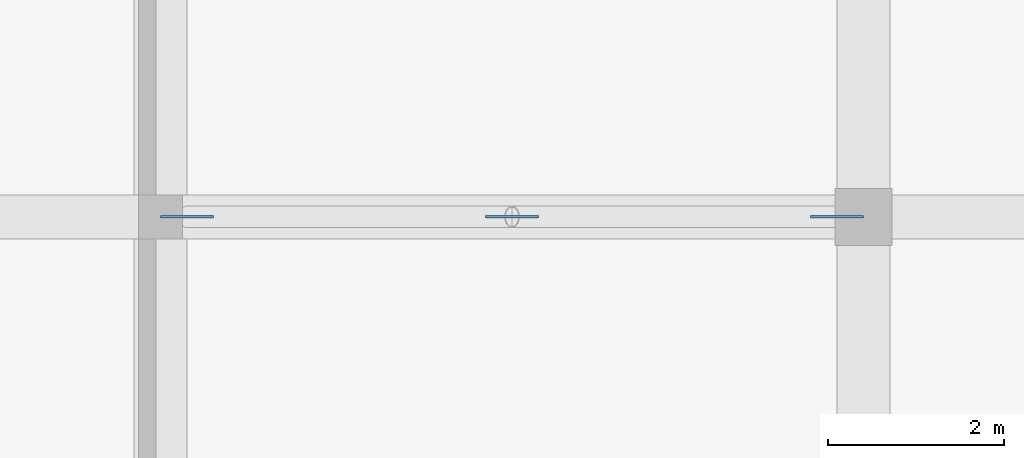
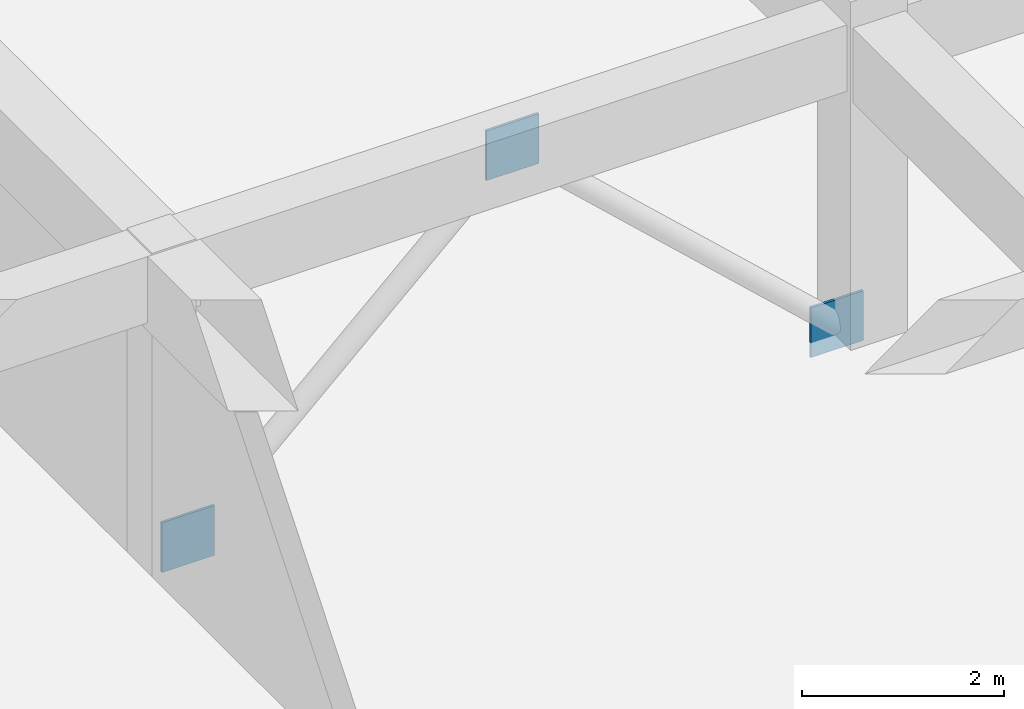
# One storey, part 18 of 35: 3 plates.
"""IFC4 building model written with IfcOpenShell, lengths in metres."""

import ifcopenshell
import ifcopenshell.guid

model = None  # the IFC model being written
_history = None  # IfcOwnerHistory: only IFC2X3 demands one
_inside = {}  # id of a spatial element -> (the spatial element, [elements in it])
_under = {}  # id of a project, library or spatial element -> (it, [spatial elements below it])
_declared = {}  # id of a project -> (the project, [libraries it declares])
_typed = {}  # id of a type object -> (the type object, [elements of that type])
_made_of = {}  # id of a material, layer set ... -> (it, [elements and type objects made of it])


def new_model(schema):
    """Start an empty IFC model of exactly this schema.

    Asked for "IFC4X3", IfcOpenShell would pick the latest addendum, in which some entities
    have other attributes; the version numbers below select the first issue.
    IFC2X3 requires an IfcOwnerHistory on every rooted entity: one is made here for all.
    """
    global model, _history
    if schema == "IFC4X3":
        model = ifcopenshell.file(schema_version=(4, 3, 0, 0))
    else:
        model = ifcopenshell.file(schema=schema)
    _inside.clear()
    _under.clear()
    _declared.clear()
    _typed.clear()
    _made_of.clear()
    _history = None
    if model.schema == "IFC2X3":
        org = make("IfcOrganization", Name="unknown")
        user = make(
            "IfcPersonAndOrganization",
            ThePerson=make("IfcPerson", FamilyName="unknown"),
            TheOrganization=org,
        )
        app = make(
            "IfcApplication",
            ApplicationDeveloper=org,
            Version="unknown",
            ApplicationFullName="unknown",
            ApplicationIdentifier="unknown",
        )
        _history = make(
            "IfcOwnerHistory",
            OwningUser=user,
            OwningApplication=app,
            ChangeAction="ADDED",
            CreationDate=0,
        )
    return model


def make(cls, **values):
    """One entity of the class cls with the attributes given. An attribute that is None is left unset."""
    return model.create_entity(
        cls, **{name: value for name, value in values.items() if value is not None}
    )


def rooted(cls, **values):
    """An entity with a GlobalId (a new one), such as an element, a storey or a relation."""
    return make(cls, GlobalId=ifcopenshell.guid.new(), OwnerHistory=_history, **values)


def si_unit(unit_type, name, prefix=None):
    """IfcSIUnit, for example si_unit("LENGTHUNIT", "METRE", prefix="MILLI")."""
    return make("IfcSIUnit", UnitType=unit_type, Prefix=prefix, Name=name)


def assignment(units):
    """IfcUnitAssignment: the units of a project."""
    return None if units is None else make("IfcUnitAssignment", Units=units)


def point(xyz):
    """IfcCartesianPoint."""
    return None if xyz is None else make("IfcCartesianPoint", Coordinates=xyz)


def direction(xyz):
    """IfcDirection."""
    return None if xyz is None else make("IfcDirection", DirectionRatios=xyz)


def frame(location, z_axis=None, x_axis=None):
    """IfcAxis2Placement3D, a coordinate frame: its origin and axes. An axis left out is left unset."""
    return make(
        "IfcAxis2Placement3D",
        Location=point(location),
        Axis=direction(z_axis),
        RefDirection=direction(x_axis),
    )


def frame_2d(location, x_axis=None):
    """IfcAxis2Placement2D, a coordinate frame in the plane: its origin and x axis."""
    return make(
        "IfcAxis2Placement2D", Location=point(location), RefDirection=direction(x_axis)
    )


def origin():
    """The frame at (0, 0, 0) with its axes left unset."""
    return frame((0.0, 0.0, 0.0))


def origin_2d():
    """The frame at (0, 0) in the plane with its x axis left unset."""
    return frame_2d((0.0, 0.0))


def place(relative_to, where):
    """IfcLocalPlacement: puts the frame where relative to a parent placement (None: the world)."""
    return make(
        "IfcLocalPlacement", PlacementRelTo=relative_to, RelativePlacement=where
    )


def context(
    kind, dimensions, precision=None, world=None, true_north=None, identifier=None
):
    """IfcGeometricRepresentationContext, for example the 3D "Model" context."""
    return make(
        "IfcGeometricRepresentationContext",
        ContextIdentifier=identifier,
        ContextType=kind,
        CoordinateSpaceDimension=dimensions,
        Precision=precision,
        WorldCoordinateSystem=world,
        TrueNorth=true_north,
    )


def subcontext(parent, identifier, kind, view, scale=None):
    """IfcGeometricRepresentationSubContext, for example "Body" below "Model"."""
    return make(
        "IfcGeometricRepresentationSubContext",
        ContextIdentifier=identifier,
        ContextType=kind,
        ParentContext=parent,
        TargetScale=scale,
        TargetView=view,
    )


def project(units=None, contexts=None):
    """IfcProject with its units and contexts."""
    return rooted(
        "IfcProject",
        Name="project",
        RepresentationContexts=contexts,
        UnitsInContext=assignment(units),
    )


def spatial(cls, under=None, at=None, **own):
    """A site, building, storey or space (cls), placed at a placement, below another one or the project."""
    s = rooted(cls, ObjectPlacement=at, **own)
    if under is not None:
        _under.setdefault(under.id(), (under, []))[1].append(s)
    return s


def profile(cls, at=None, kind="AREA", **sizes):
    """A parametric profile (cls). Its sizes go by their IFC names, for example OverallWidth=200.0."""
    return make(cls, ProfileType=kind, Position=at, **sizes)


def rectangle(**sizes):
    """IfcRectangleProfileDef."""
    return profile("IfcRectangleProfileDef", **sizes)


def extrude(swept, where, along, depth):
    """IfcExtrudedAreaSolid: the profile swept, set in the frame where, extruded along a direction by depth."""
    return make(
        "IfcExtrudedAreaSolid",
        SweptArea=swept,
        Position=where,
        ExtrudedDirection=direction(along),
        Depth=depth,
    )


def shape(context_of_items, identifier, shape_type, items):
    """IfcShapeRepresentation: the items that make up one representation, for example the "Body"."""
    return make(
        "IfcShapeRepresentation",
        ContextOfItems=context_of_items,
        RepresentationIdentifier=identifier,
        RepresentationType=shape_type,
        Items=items,
    )


def material(Name=None, Category=None):
    """IfcMaterial."""
    return make("IfcMaterial", Name=Name, Category=Category)


def layer(
    of_material, thickness, ventilated=None, Name=None, Category=None, Priority=None
):
    """IfcMaterialLayer: one layer of a wall or slab, of a material (None: an air gap)."""
    return make(
        "IfcMaterialLayer",
        Material=of_material,
        LayerThickness=thickness,
        IsVentilated=ventilated,
        Name=Name,
        Category=Category,
        Priority=Priority,
    )


def layer_set(layers, Name=None):
    """IfcMaterialLayerSet."""
    return make("IfcMaterialLayerSet", MaterialLayers=layers, LayerSetName=Name)


def made_of(thing, what):
    """Note that an element or type object is made of a material, layer set ...; save() writes the relation."""
    if what is not None:
        _made_of.setdefault(what.id(), (what, []))[1].append(thing)
    return thing


def type_object(cls, material=None, **own):
    """A type object (cls), such as IfcWallType, which elements share."""
    return made_of(rooted(cls, **own), material)


def element(
    cls,
    number,
    at=None,
    inside=None,
    cuts=None,
    type_object=None,
    material=None,
    context=None,
    identifier="Body",
    shape_type=None,
    held_by="IfcProductDefinitionShape",
    body=None,
    shapes=None,
    **own,
):
    """One element of the class cls, such as IfcWall. Its Tag is "e" and its number.

    at: its placement. inside: the storey or other place that contains it. cuts: it is an
    opening in that element (IfcRelVoidsElement). A single representation is given by context,
    identifier, shape_type and body (its items); several are given by shapes. held_by: the class
    of the entity that holds the representations. save() writes the other relations.
    """
    e = rooted(cls, Tag="e%d" % number, ObjectPlacement=at, **own)
    if body is not None:
        shapes = [shape(context, identifier, shape_type, body)]
    if shapes is not None:
        e.Representation = make(held_by, Representations=shapes)
    if inside is not None:
        _inside.setdefault(inside.id(), (inside, []))[1].append(e)
    if cuts is not None:
        rooted(
            "IfcRelVoidsElement", RelatingBuildingElement=cuts, RelatedOpeningElement=e
        )
    if type_object is not None:
        _typed.setdefault(type_object.id(), (type_object, []))[1].append(e)
    return made_of(e, material)


def aggregate(whole, parts):
    """IfcRelAggregates: a whole, such as a stair, and the parts it consists of."""
    return rooted("IfcRelAggregates", RelatingObject=whole, RelatedObjects=parts)


def save(model, path):
    """Write the relations noted so far, then the file.

    IfcRelAggregates (storeys below a building ...), IfcRelContainedInSpatialStructure (elements
    in a storey), IfcRelDefinesByType, IfcRelAssociatesMaterial and IfcRelDeclares: one each for
    every whole, place, type object, material and project.
    """
    for whole, parts in _under.values():
        aggregate(whole, parts)
    for where, things in _inside.values():
        rooted(
            "IfcRelContainedInSpatialStructure",
            RelatedElements=things,
            RelatingStructure=where,
        )
    for kind, things in _typed.values():
        rooted("IfcRelDefinesByType", RelatedObjects=things, RelatingType=kind)
    for what, things in _made_of.values():
        rooted("IfcRelAssociatesMaterial", RelatedObjects=things, RelatingMaterial=what)
    for by, libraries in _declared.values():
        rooted("IfcRelDeclares", RelatingContext=by, RelatedDefinitions=libraries)
    model.write(path)


model = new_model("IFC4")

# Units and contexts
model_context = context("Model", 3, precision=1e-05, world=origin(), true_north=direction((0.0, 1.0)))
body_context = subcontext(model_context, "Body", "Model", "MODEL_VIEW")
ifc_project = project(units=[si_unit("LENGTHUNIT", "METRE"), si_unit("AREAUNIT", "SQUARE_METRE"), si_unit("VOLUMEUNIT", "CUBIC_METRE"), si_unit("PLANEANGLEUNIT", "RADIAN"), si_unit("MASSUNIT", "GRAM", prefix="KILO"), si_unit("THERMODYNAMICTEMPERATUREUNIT", "KELVIN"), si_unit("POWERUNIT", "WATT")], contexts=[model_context])

# Site, building, storey
site_placement = place(None, origin())
site = spatial("IfcSite", under=ifc_project, at=site_placement, CompositionType="ELEMENT")
building_placement = place(site_placement, origin())
building = spatial("IfcBuilding", under=site, at=building_placement, Name="Solvatero Civic Police Headquarters", CompositionType="ELEMENT")
storey_placement = place(building_placement, frame((0.0, 0.0, -4.199951171875)))
storey = spatial("IfcBuildingStorey", under=building, at=storey_placement, Name="B01", CompositionType="ELEMENT", Elevation=-4.199951171875)

# Plates
ifc_material = material(Name="Steel S355", Category="steel")
ifc_layer = layer(ifc_material, 0.030029296875)
ifc_layer_set = layer_set([ifc_layer], Name="Steel S355")
plate_type = type_object("IfcPlateType", Name="PLT-GUS-30", PredefinedType="SHEET", material=ifc_layer_set)
for number, where, z_axis, x_axis, name in (
    (1, (99.5, 100.5, 3.25), (0.0, 0.0, 1.0), (1.0, 0.0, 0.0), "Gusset Plate BR-V7-INT2 APX B01"),
    (2, (95.800048828125, 100.5, -0.18017578125), (0.0, 0.0, 1.0), (1.0, 0.0, 0.0), "Gusset Plate BR-V7-INT2 BSL B01"),
    (3, (103.199951171875, 100.5, -0.18017578125), (0.0, 0.0, 1.0), (1.0, 0.0, 0.0), "Gusset Plate BR-V7-INT2 BSR B01"),
):
    element("IfcPlate", number, at=place(storey_placement, frame(where, z_axis=z_axis, x_axis=x_axis)), inside=storey, type_object=plate_type, Name=name, PredefinedType="SHEET", context=body_context, shape_type="SweptSolid", body=[
        extrude(rectangle(XDim=0.60009765625, YDim=0.030029296875, at=origin_2d()), origin(), (0.0, 0.0, 1.0), 0.60009765625),
    ])

save(model, "model.ifc")
